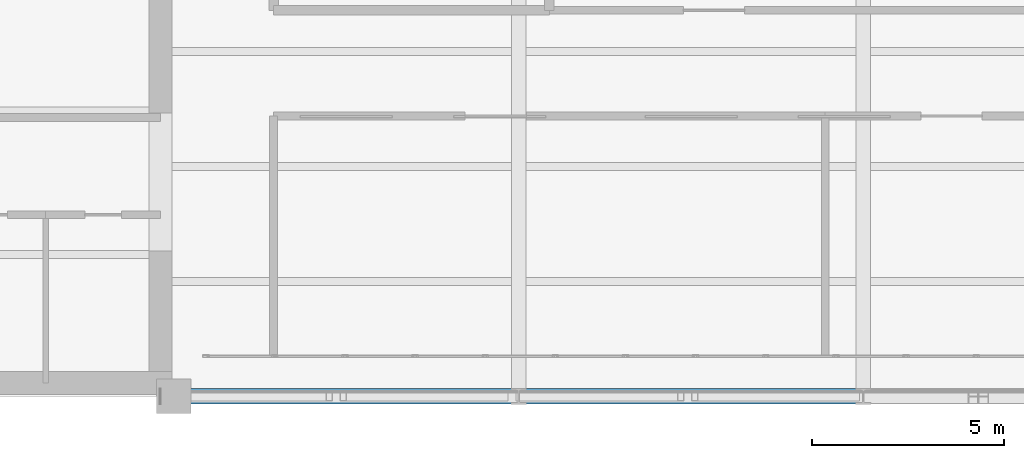
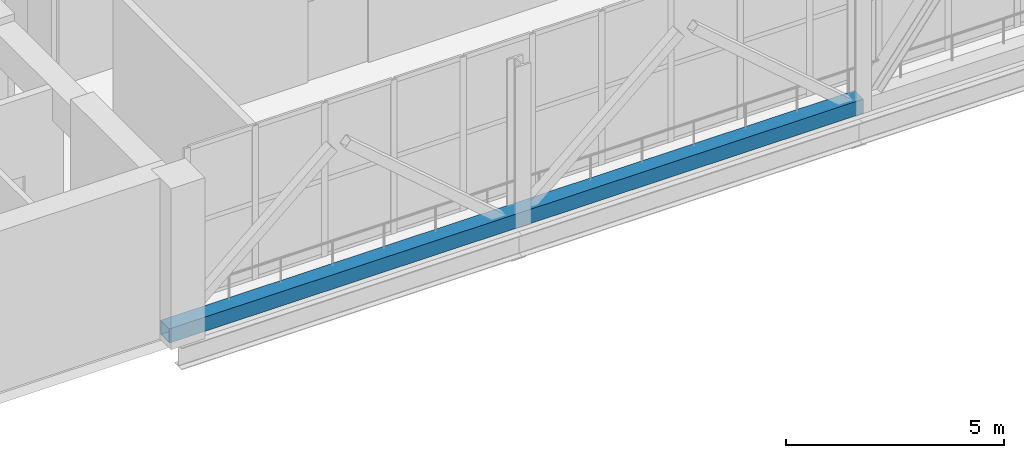
# One storey, part 3 of 26: 1 member.
"""IFC4 building model written with IfcOpenShell, lengths in metres."""

from ifc_helpers import new_model, si_unit, direction, frame, origin, origin_2d, place, context, subcontext, project, spatial, hollow_rectangle, extrude, material, material_profile, profile_set, type_object, element, save


model = new_model("IFC4")

# Units and contexts
model_context = context("Model", 3, precision=1e-05, world=origin(), true_north=direction((0.0, 1.0)))
body_context = subcontext(model_context, "Body", "Model", "MODEL_VIEW")
ifc_project = project(units=[si_unit("LENGTHUNIT", "METRE"), si_unit("AREAUNIT", "SQUARE_METRE"), si_unit("VOLUMEUNIT", "CUBIC_METRE"), si_unit("PLANEANGLEUNIT", "RADIAN"), si_unit("MASSUNIT", "GRAM", prefix="KILO")], contexts=[model_context])

# Site, building, storey
site_placement = place(None, origin())
site = spatial("IfcSite", under=ifc_project, at=site_placement, CompositionType="ELEMENT")
building_placement = place(site_placement, origin())
building = spatial("IfcBuilding", under=site, at=building_placement, Name="Mawjdan Bourse Tower", CompositionType="ELEMENT")
storey_placement = place(building_placement, frame((0.0, 0.0, 226.800048828125)))
storey = spatial("IfcBuildingStorey", under=building, at=storey_placement, Name="L55", CompositionType="ELEMENT", Elevation=226.800048828125)

# Member
ifc_material = material(Name="Structural Steel S460", Category="steel")
ifc_material_profile = material_profile(ifc_material, hollow_rectangle(XDim=0.39990234375, YDim=0.39990234375, WallThickness=0.01611328125, at=origin_2d()), Name="HSS400X400X16")
ifc_profile_set = profile_set([ifc_material_profile], Name="Structural Steel S460")
member_type = type_object("IfcMemberType", Name="CHD-HSS400X400X16", PredefinedType="CHORD", material=ifc_profile_set)
member_placement = place(storey_placement, frame((23.64990234375, 3.0, 0.199951171875), z_axis=(1.0, 0.0, 0.0), x_axis=(0.0, 1.0, 0.0)))
element("IfcMember", 1, at=member_placement, inside=storey, type_object=member_type, Name="L55 East Outrigger Truss 1 Bottom Chord", PredefinedType="CHORD", context=body_context, shape_type="SweptSolid", body=[
    extrude(hollow_rectangle(XDim=0.39990234375, YDim=0.39990234375, WallThickness=0.01611328125, at=origin_2d()), origin(), (0.0, 0.0, 1.0), 18.35009765625),
])

save(model, "model.ifc")
